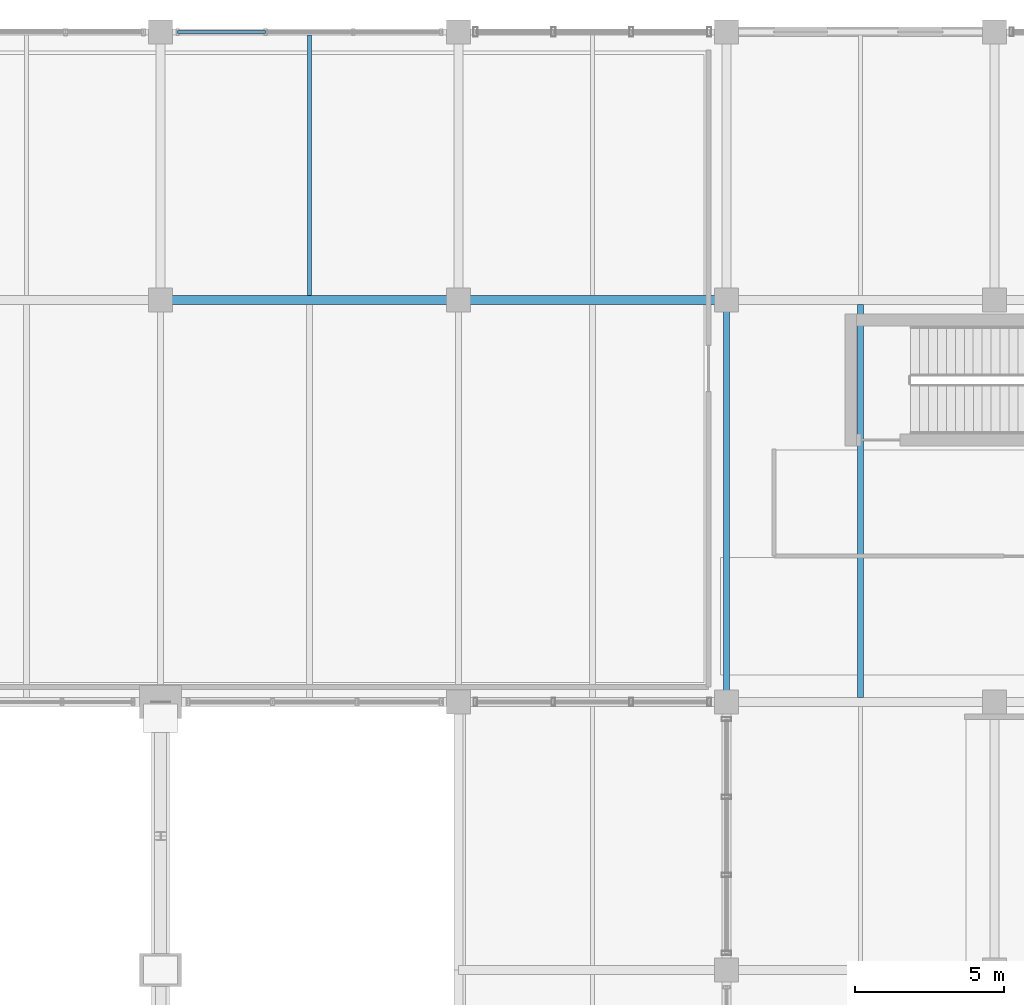
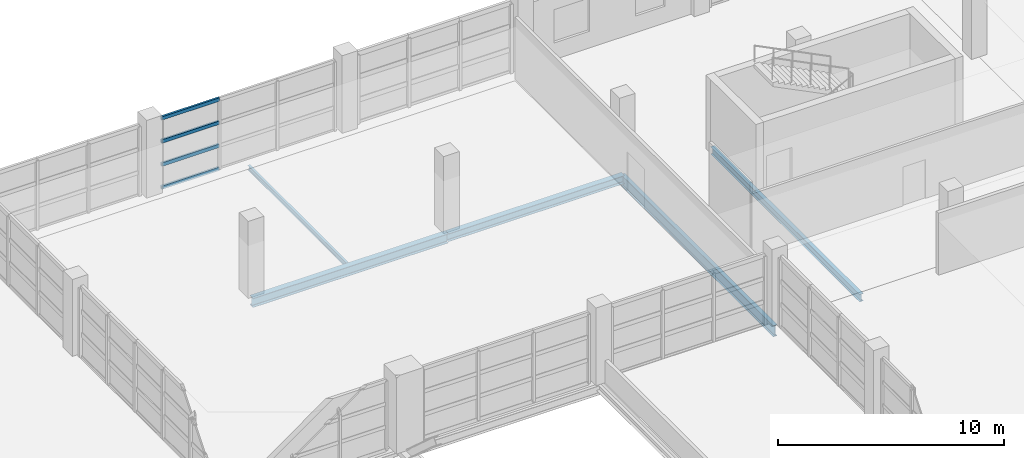
# One storey, part 89 of 136: 5 beams, 4 members, 1 element without a shape of its own.
"""IFC4 building model written with IfcOpenShell, lengths in metres."""

from ifc_helpers import new_model, si_unit, direction, frame, origin, origin_2d, place, context, subcontext, project, spatial, hollow_rectangle, i_section, extrude, material, material_profile, profile_set, type_object, element, aggregate, save


model = new_model("IFC4")

# Units and contexts
model_context = context("Model", 3, precision=1e-05, world=origin(), true_north=direction((0.0, 1.0)))
body_context = subcontext(model_context, "Body", "Model", "MODEL_VIEW")
ifc_project = project(units=[si_unit("LENGTHUNIT", "METRE"), si_unit("AREAUNIT", "SQUARE_METRE"), si_unit("VOLUMEUNIT", "CUBIC_METRE"), si_unit("PLANEANGLEUNIT", "RADIAN"), si_unit("MASSUNIT", "GRAM", prefix="KILO")], contexts=[model_context])

# Site, building, storey
site_placement = place(None, origin())
site = spatial("IfcSite", under=ifc_project, at=site_placement, CompositionType="ELEMENT")
building_placement = place(site_placement, origin())
building = spatial("IfcBuilding", under=site, at=building_placement, Name="Chuanluo Vaults Station", CompositionType="ELEMENT")
storey_placement = place(building_placement, frame((0.0, 0.0, 6.60009765625)))
storey = spatial("IfcBuildingStorey", under=building, at=storey_placement, Name="L01", CompositionType="ELEMENT", Elevation=6.60009765625)

# Beams
ifc_material_1 = material(Name="Steel Q355C", Category="steel")
ifc_material_profile_1 = material_profile(ifc_material_1, i_section(OverallWidth=0.300048828125, OverallDepth=0.43994140625, WebThickness=0.010986328125, FlangeThickness=0.01806640625, FilletRadius=0.02001953125, at=origin_2d()))
ifc_profile_set_1 = profile_set([ifc_material_profile_1], Name="Steel Q355C")
beam_type_1 = type_object("IfcBeamType", Name="BM-GRD-450", PredefinedType="USERDEFINED", material=ifc_profile_set_1)
beam_1_placement = place(storey_placement, frame((136.0, 117.0, -0.47998046875), z_axis=(1.0, 0.0, 0.0), x_axis=(0.0, 1.0, 0.0)))
element("IfcBeam", 1, at=beam_1_placement, inside=storey, type_object=beam_type_1, Name="Floor girder BM:GX:L01:0386", ObjectType="GIRDER", PredefinedType="USERDEFINED", context=body_context, shape_type="SweptSolid", body=[
    extrude(i_section(OverallWidth=0.300048828125, OverallDepth=0.43994140625, WebThickness=0.010986328125, FlangeThickness=0.01806640625, FilletRadius=0.02001953125, at=origin_2d()), origin(), (0.0, 0.0, 1.0), 9.0),
])
ifc_material_2 = material(Name="Steel Q355C", Category="steel")
ifc_material_profile_2 = material_profile(ifc_material_2, i_section(OverallWidth=0.300048828125, OverallDepth=0.5, WebThickness=0.010986328125, FlangeThickness=0.01806640625, FilletRadius=0.02001953125, at=origin_2d()))
ifc_profile_set_2 = profile_set([ifc_material_profile_2], Name="Steel Q355C")
beam_type_2 = type_object("IfcBeamType", Name="BM-GRD-500", PredefinedType="USERDEFINED", material=ifc_profile_set_2)
beam_2_placement = place(storey_placement, frame((126.0, 117.0, -0.510009765625), z_axis=(1.0, 0.0, 0.0), x_axis=(0.0, 1.0, 0.0)))
element("IfcBeam", 2, at=beam_2_placement, inside=storey, type_object=beam_type_2, Name="Floor girder BM:GX:L01:0385", ObjectType="GIRDER", PredefinedType="USERDEFINED", context=body_context, shape_type="SweptSolid", body=[
    extrude(i_section(OverallWidth=0.300048828125, OverallDepth=0.5, WebThickness=0.010986328125, FlangeThickness=0.01806640625, FilletRadius=0.02001953125, at=origin_2d()), origin(), (0.0, 0.0, 1.0), 10.0),
])
ifc_material_3 = material(Name="Steel Q355C", Category="steel")
ifc_material_profile_3 = material_profile(ifc_material_3, i_section(OverallWidth=0.199951171875, OverallDepth=0.60009765625, WebThickness=0.010986328125, FlangeThickness=0.01708984375, FilletRadius=0.01806640625, at=origin_2d()))
ifc_profile_set_3 = profile_set([ifc_material_profile_3], Name="Steel Q355C")
beam_type_3 = type_object("IfcBeamType", Name="BM-GRD-600", PredefinedType="USERDEFINED", material=ifc_profile_set_3)
beam_3_placement = place(storey_placement, frame((145.0, 103.5, -0.56005859375), z_axis=(0.0, 1.0, 0.0), x_axis=(-1.0, 0.0, 0.0)))
element("IfcBeam", 3, at=beam_3_placement, inside=storey, type_object=beam_type_3, Name="Floor girder BM:GY:L01:0475", ObjectType="GIRDER", PredefinedType="USERDEFINED", context=body_context, shape_type="SweptSolid", body=[
    extrude(i_section(OverallWidth=0.199951171875, OverallDepth=0.60009765625, WebThickness=0.010986328125, FlangeThickness=0.01708984375, FilletRadius=0.01806640625, at=origin_2d()), origin(), (0.0, 0.0, 1.0), 13.5),
])
ifc_material_4 = material(Name="Steel Q355C", Category="steel")
ifc_material_profile_4 = material_profile(ifc_material_4, i_section(OverallWidth=0.125, OverallDepth=0.25, WebThickness=0.006103515625, FlangeThickness=0.009033203125, FilletRadius=0.011962890625, at=origin_2d()))
ifc_profile_set_4 = profile_set([ifc_material_profile_4], Name="Steel Q355C")
beam_type_4 = type_object("IfcBeamType", Name="BM-SEC-250", PredefinedType="JOIST", material=ifc_profile_set_4)
beam_4_placement = place(storey_placement, frame((131.0, 117.155029296875, -0.385009765625), z_axis=(0.0, 1.0, 0.0), x_axis=(-1.0, 0.0, 0.0)))
element("IfcBeam", 4, at=beam_4_placement, inside=storey, type_object=beam_type_4, Name="Composite secondary joist 0146", PredefinedType="JOIST", context=body_context, shape_type="SweptSolid", body=[
    extrude(i_section(OverallWidth=0.125, OverallDepth=0.25, WebThickness=0.006103515625, FlangeThickness=0.009033203125, FilletRadius=0.011962890625, at=origin_2d()), origin(), (0.0, 0.0, 1.0), 8.737548828125),
])
ifc_material_5 = material(Name="Steel Q355C", Category="steel")
ifc_material_profile_5 = material_profile(ifc_material_5, i_section(OverallWidth=0.199951171875, OverallDepth=0.39990234375, WebThickness=0.008056640625, FlangeThickness=0.012939453125, FilletRadius=0.01611328125, at=origin_2d()))
ifc_profile_set_5 = profile_set([ifc_material_profile_5], Name="Steel Q355C")
beam_type_5 = type_object("IfcBeamType", Name="BM-SEC-400", PredefinedType="BEAM", material=ifc_profile_set_5)
beam_5_placement = place(storey_placement, frame((149.5, 103.655029296875, -0.440185546875), z_axis=(0.0, 1.0, 0.0), x_axis=(-1.0, 0.0, 0.0)))
element("IfcBeam", 5, at=beam_5_placement, inside=storey, type_object=beam_type_5, Name="Composite secondary joist 0166", PredefinedType="BEAM", context=body_context, shape_type="SweptSolid", body=[
    extrude(i_section(OverallWidth=0.199951171875, OverallDepth=0.39990234375, WebThickness=0.008056640625, FlangeThickness=0.012939453125, FilletRadius=0.01611328125, at=origin_2d()), origin(), (0.0, 0.0, 1.0), 13.18994140625),
])

# Curtain wall, members
ifc_material_6 = material(Name="Anodised aluminium 6063-T6", Category="aluminium")
curtain_wall_type = type_object("IfcCurtainWallType", Name="CW-SYS-20", PredefinedType="NOTDEFINED", material=ifc_material_6)
curtain_wall_placement = place(storey_placement, origin())
curtain_wall = element("IfcCurtainWall", 6, at=curtain_wall_placement, inside=storey, type_object=curtain_wall_type, Name="Operations L01 facade CW", PredefinedType="NOTDEFINED")
ifc_material_7 = material(Name="Anodised aluminium 6063-T6", Category="aluminium")
ifc_material_profile_6 = material_profile(ifc_material_7, hollow_rectangle(XDim=0.10498046875, YDim=0.18505859375, WallThickness=0.0048828125, at=origin_2d()))
ifc_profile_set_6 = profile_set([ifc_material_profile_6], Name="Anodised aluminium 6063-T6")
member_type = type_object("IfcMemberType", Name="CWT-110", PredefinedType="USERDEFINED", material=ifc_profile_set_6)
member_1_placement = place(storey_placement, frame((126.574951171875, 126.0, 0.0), z_axis=(1.0, 0.0, 0.0), x_axis=(0.0, 1.0, 0.0)))
member_1 = element("IfcMember", 7, at=member_1_placement, type_object=member_type, Name="Operations L01 facade CW transom 1.1", ObjectType="TRANSOM", PredefinedType="USERDEFINED", context=body_context, shape_type="SweptSolid", body=[
    extrude(hollow_rectangle(XDim=0.10498046875, YDim=0.18505859375, WallThickness=0.0048828125, at=origin_2d()), origin(), (0.0, 0.0, 1.0), 2.949951171875),
])
member_2_placement = place(storey_placement, frame((126.574951171875, 126.0, 1.25), z_axis=(1.0, 0.0, 0.0), x_axis=(0.0, 1.0, 0.0)))
member_2 = element("IfcMember", 8, at=member_2_placement, type_object=member_type, Name="Operations L01 facade CW transom 1.2", ObjectType="TRANSOM", PredefinedType="USERDEFINED", context=body_context, shape_type="SweptSolid", body=[
    extrude(hollow_rectangle(XDim=0.10498046875, YDim=0.18505859375, WallThickness=0.0048828125, at=origin_2d()), origin(), (0.0, 0.0, 1.0), 2.949951171875),
])
member_3_placement = place(storey_placement, frame((126.574951171875, 126.0, 2.5), z_axis=(1.0, 0.0, 0.0), x_axis=(0.0, 1.0, 0.0)))
member_3 = element("IfcMember", 9, at=member_3_placement, type_object=member_type, Name="Operations L01 facade CW transom 1.3", ObjectType="TRANSOM", PredefinedType="USERDEFINED", context=body_context, shape_type="SweptSolid", body=[
    extrude(hollow_rectangle(XDim=0.10498046875, YDim=0.18505859375, WallThickness=0.0048828125, at=origin_2d()), origin(), (0.0, 0.0, 1.0), 2.949951171875),
])
member_4_placement = place(storey_placement, frame((126.574951171875, 126.0, 3.75), z_axis=(1.0, 0.0, 0.0), x_axis=(0.0, 1.0, 0.0)))
member_4 = element("IfcMember", 10, at=member_4_placement, type_object=member_type, Name="Operations L01 facade CW transom 1.4", ObjectType="TRANSOM", PredefinedType="USERDEFINED", context=body_context, shape_type="SweptSolid", body=[
    extrude(hollow_rectangle(XDim=0.10498046875, YDim=0.18505859375, WallThickness=0.0048828125, at=origin_2d()), origin(), (0.0, 0.0, 1.0), 2.949951171875),
])
aggregate(curtain_wall, [member_1, member_2, member_3, member_4])

save(model, "model.ifc")
